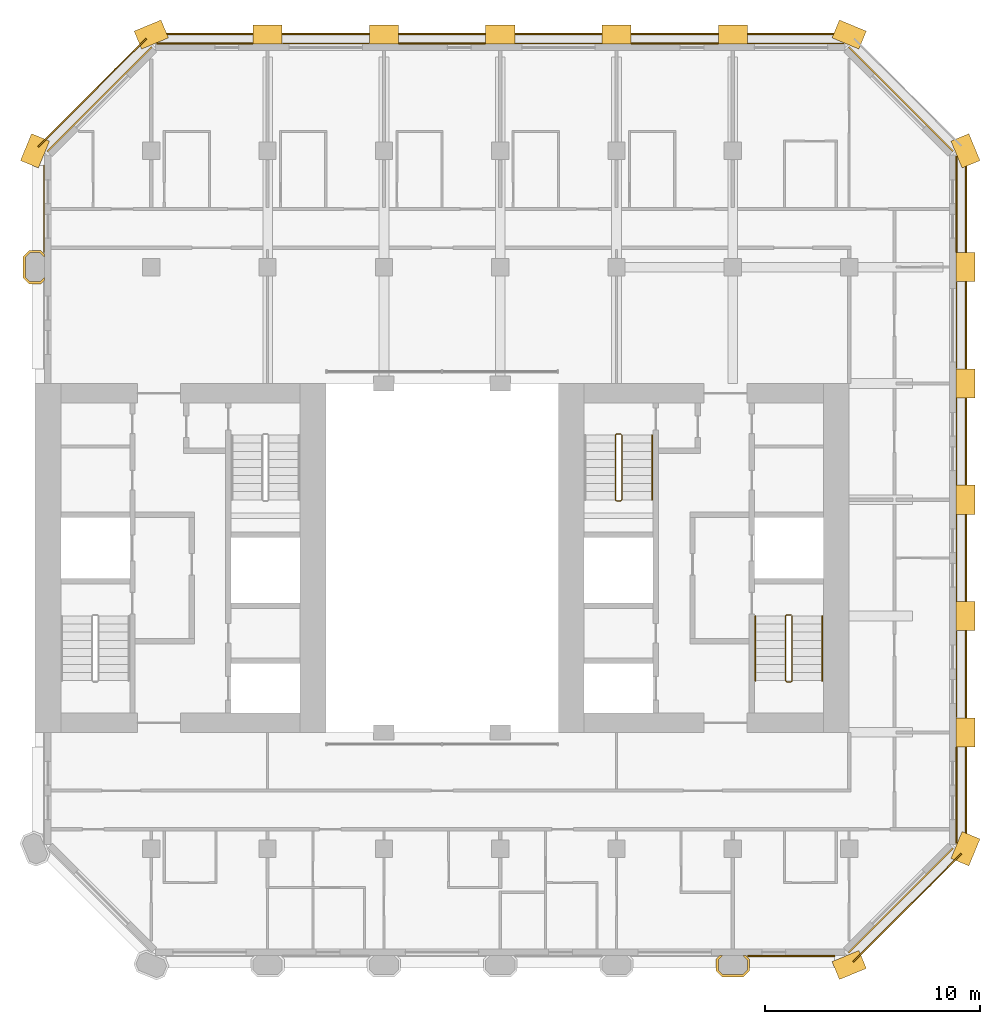
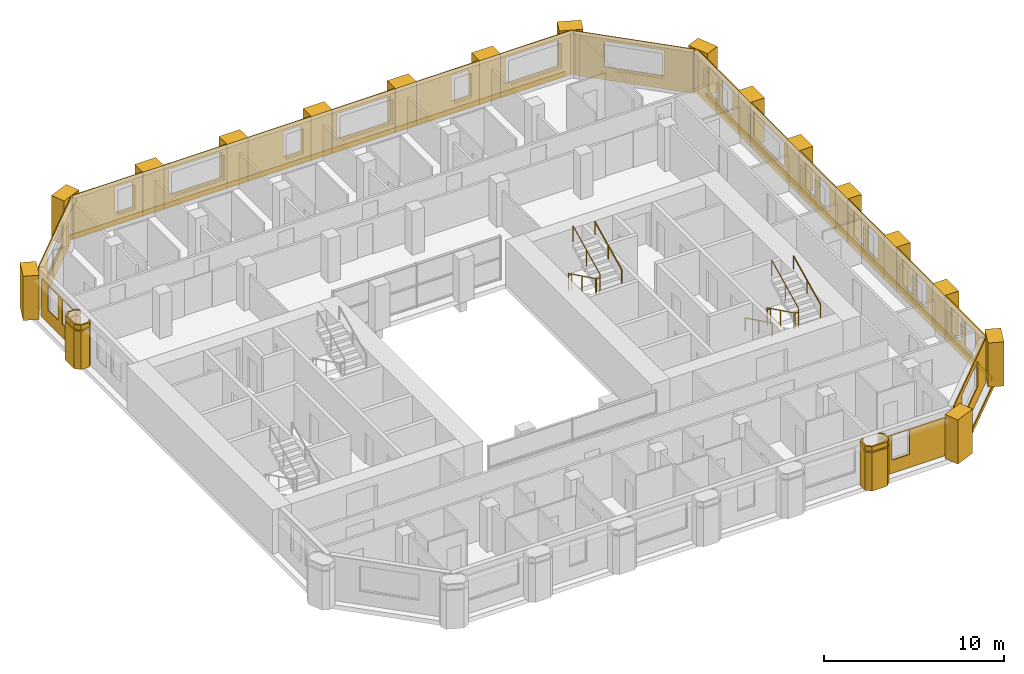
# One storey, part 11 of 12: 41 coverings, 5 railings.
"""IFC4 building model written with IfcOpenShell, lengths in metres."""

from ifc_helpers import new_model, si_unit, direction, frame, frame_2d, origin, origin_2d, place, context, subcontext, project, spatial, polyline, rectangle, circle, outline, extrude, material, layer, layer_set, type_object, element, save


model = new_model("IFC4")

# Units and contexts
model_context = context("Model", 3, precision=1e-05, world=origin(), true_north=direction((0.0, 1.0)))
body_context = subcontext(model_context, "Body", "Model", "MODEL_VIEW")
ifc_project = project(units=[si_unit("LENGTHUNIT", "METRE"), si_unit("AREAUNIT", "SQUARE_METRE"), si_unit("VOLUMEUNIT", "CUBIC_METRE"), si_unit("PLANEANGLEUNIT", "RADIAN"), si_unit("MASSUNIT", "GRAM", prefix="KILO")], contexts=[model_context])

# Site, building, storey
site_placement = place(None, origin())
site = spatial("IfcSite", under=ifc_project, at=site_placement, CompositionType="ELEMENT")
building_placement = place(site_placement, origin())
building = spatial("IfcBuilding", under=site, at=building_placement, Name="Tabaq Tower and Sports Hall", CompositionType="ELEMENT")
storey_placement = place(building_placement, frame((0.0, 0.0, 187.300048828125)))
storey = spatial("IfcBuildingStorey", under=building, at=storey_placement, Name="L45", CompositionType="ELEMENT", Elevation=187.300048828125)

# Coverings
ifc_material_1 = material(Name="Precast concrete C60/75", Category="concrete")
ifc_layer_1 = layer(ifc_material_1, 0.10009765625)
ifc_layer_set_1 = layer_set([ifc_layer_1], Name="Column cladding 100")
covering_type_1 = type_object("IfcCoveringType", Name="Column cladding 100", PredefinedType="CLADDING", material=ifc_layer_set_1)
covering_1_placement = place(storey_placement, origin())
element("IfcCovering", 1, at=covering_1_placement, inside=storey, type_object=covering_type_1, Name="Column cladding L45 PC-2H-H2", PredefinedType="CLADDING", context=body_context, shape_type="SweptSolid", body=[
    extrude(outline(polyline([(5.1337890625, 37.025390625), (4.850341796875, 37.30859375), (4.850341796875, 38.291259765625), (5.1337890625, 38.57470703125), (5.666259765625, 38.57470703125), (5.849609375, 38.391357421875), (5.849609375, 38.250732421875), (5.625244140625, 38.475341796875), (5.1748046875, 38.475341796875), (4.94970703125, 38.250244140625), (4.94970703125, 37.349853515625), (5.1748046875, 37.124755859375), (5.625244140625, 37.124755859375), (5.849609375, 37.349365234375), (5.849609375, 37.208740234375), (5.666259765625, 37.025390625), (5.1337890625, 37.025390625)])), origin(), (0.0, 0.0, 1.0), 2.599853515625),
])
covering_2_placement = place(storey_placement, frame((0.0, 0.0, 2.699951171875)))
element("IfcCovering", 2, at=covering_2_placement, inside=storey, type_object=covering_type_1, Name="Column cladding L45 PC-2H-H2 2", PredefinedType="CLADDING", context=body_context, shape_type="SweptSolid", body=[
    extrude(outline(polyline([(5.1337890625, 37.025390625), (4.850341796875, 37.30859375), (4.850341796875, 38.291259765625), (5.1337890625, 38.57470703125), (5.666259765625, 38.57470703125), (5.849609375, 38.391357421875), (5.849609375, 38.250732421875), (5.625244140625, 38.475341796875), (5.1748046875, 38.475341796875), (4.94970703125, 38.250244140625), (4.94970703125, 37.349853515625), (5.1748046875, 37.124755859375), (5.625244140625, 37.124755859375), (5.849609375, 37.349365234375), (5.849609375, 37.208740234375), (5.666259765625, 37.025390625), (5.1337890625, 37.025390625)])), origin(), (0.0, 0.0, 1.0), 0.300048828125),
])
covering_3_placement = place(storey_placement, origin())
element("IfcCovering", 3, at=covering_3_placement, inside=storey, type_object=covering_type_1, Name="Column cladding L45 PC-8B-H2", PredefinedType="CLADDING", context=body_context, shape_type="SweptSolid", body=[
    extrude(outline(polyline([(37.025390625, 5.666259765625), (37.208740234375, 5.849609375), (37.349365234375, 5.849609375), (37.124755859375, 5.625244140625), (37.124755859375, 5.1748046875), (37.349853515625, 4.94970703125), (38.250244140625, 4.94970703125), (38.475341796875, 5.1748046875), (38.475341796875, 5.625244140625), (38.250732421875, 5.849609375), (38.391357421875, 5.849609375), (38.57470703125, 5.666259765625), (38.57470703125, 5.1337890625), (38.291259765625, 4.850341796875), (37.30859375, 4.850341796875), (37.025390625, 5.1337890625), (37.025390625, 5.666259765625)])), origin(), (0.0, 0.0, 1.0), 2.599853515625),
])
covering_4_placement = place(storey_placement, frame((0.0, 0.0, 2.699951171875)))
element("IfcCovering", 4, at=covering_4_placement, inside=storey, type_object=covering_type_1, Name="Column cladding L45 PC-8B-H2 2", PredefinedType="CLADDING", context=body_context, shape_type="SweptSolid", body=[
    extrude(outline(polyline([(37.025390625, 5.666259765625), (37.208740234375, 5.849609375), (37.349365234375, 5.849609375), (37.124755859375, 5.625244140625), (37.124755859375, 5.1748046875), (37.349853515625, 4.94970703125), (38.250244140625, 4.94970703125), (38.475341796875, 5.1748046875), (38.475341796875, 5.625244140625), (38.250732421875, 5.849609375), (38.391357421875, 5.849609375), (38.57470703125, 5.666259765625), (38.57470703125, 5.1337890625), (38.291259765625, 4.850341796875), (37.30859375, 4.850341796875), (37.025390625, 5.1337890625), (37.025390625, 5.666259765625)])), origin(), (0.0, 0.0, 1.0), 0.300048828125),
])
ifc_material_2 = material(Name="Precast concrete C60/75", Category="concrete")
ifc_layer_2 = layer(ifc_material_2, 0.06005859375)
ifc_layer_set_2 = layer_set([ifc_layer_2], Name="Edge beam cladding 60")
covering_type_2 = type_object("IfcCoveringType", Name="Edge beam cladding 60", PredefinedType="CLADDING", material=ifc_layer_set_2)
covering_5_placement = place(storey_placement, frame((43.39794921875, 5.5556640625, -0.300048828125), z_axis=(0.0, 0.0, 1.0), x_axis=(0.707124002701, 0.707089559252, 0.0)))
element("IfcCovering", 5, at=covering_5_placement, inside=storey, type_object=covering_type_2, Name="Edge beam cladding L45 1", PredefinedType="CLADDING", context=body_context, shape_type="SweptSolid", body=[
    extrude(rectangle(XDim=7.088134765625, YDim=0.06005859375, at=frame_2d((3.5439453125, 0.0))), origin(), (0.0, 0.0, 1.0), 0.300048828125),
])
for number, where, z_axis, x_axis, name in (
    (6, (48.6298828125, 11.0986328125, -0.300048828125), (0.0, 0.0, 1.0), (0.0, 1.0, 0.0), "Edge beam cladding L45 2"),
    (7, (42.9013671875, 48.6298828125, -0.300048828125), (0.0, 0.0, 1.0), (-1.0, 0.0, 0.0), "Edge beam cladding L45 4"),
):
    element("IfcCovering", number, at=place(storey_placement, frame(where, z_axis=z_axis, x_axis=x_axis)), inside=storey, type_object=covering_type_2, Name=name, PredefinedType="CLADDING", context=body_context, shape_type="SweptSolid", body=[
        extrude(rectangle(XDim=31.802734375, YDim=0.06005859375, at=frame_2d((15.9013671875, 0.0))), origin(), (0.0, 0.0, 1.0), 0.300048828125),
    ])
covering_6_placement = place(storey_placement, frame((10.567626953125, 48.41015625, -0.300048828125), z_axis=(0.0, 0.0, 1.0), x_axis=(-0.707089559252, -0.707124002701, 0.0)))
element("IfcCovering", 8, at=covering_6_placement, inside=storey, type_object=covering_type_2, Name="Edge beam cladding L45 5", PredefinedType="CLADDING", context=body_context, shape_type="SweptSolid", body=[
    extrude(rectangle(XDim=7.088134765625, YDim=0.06005859375, at=frame_2d((3.5439453125, 0.0))), origin(), (0.0, 0.0, 1.0), 0.300048828125),
])
ifc_material_3 = material(Name="White precast concrete C60/75", Category="concrete")
covering_type_3 = type_object("IfcCoveringType", Name="Pier cladding hung 1350x900", PredefinedType="CLADDING", material=ifc_material_3)
for number, where, z_axis, x_axis, name in (
    (9, (5.658203125, 43.82373046875, 0.0), (0.0, 0.0, 1.0), (-0.382649923473, -0.923893411637, 0.0), "Hung pier cladding 1/8"),
    (10, (11.423583984375, 48.8583984375, 0.0), (0.0, 0.0, 1.0), (-0.923893411637, -0.382649923473, 0.0), "Hung pier cladding 2/9"),
    (11, (16.875, 48.60009765625, 0.0), (0.0, 0.0, 1.0), (-1.0, 0.0, 0.0), "Hung pier cladding 3/9"),
):
    element("IfcCovering", number, at=place(storey_placement, frame(where, z_axis=z_axis, x_axis=x_axis)), inside=storey, type_object=covering_type_3, Name=name, PredefinedType="CLADDING", context=body_context, shape_type="SweptSolid", body=[
        extrude(rectangle(XDim=1.35009765625, YDim=0.89990234375, at=frame_2d((0.675048828125, 0.0))), origin(), (0.0, 0.0, 1.0), 3.0),
    ])
covering_7_placement = place(storey_placement, frame((22.27490234375, 48.60009765625, 0.0), z_axis=(0.0, 0.0, 1.0), x_axis=(-1.0, 0.0, 0.0)))
element("IfcCovering", 12, at=covering_7_placement, inside=storey, type_object=covering_type_3, Name="Hung pier cladding 4/9", PredefinedType="CLADDING", context=body_context, shape_type="SweptSolid", body=[
    extrude(rectangle(XDim=1.349853515625, YDim=0.89990234375, at=frame_2d((0.6748046875, 0.0))), origin(), (0.0, 0.0, 1.0), 3.0),
])
covering_8_placement = place(storey_placement, frame((27.675048828125, 48.60009765625, 0.0), z_axis=(0.0, 0.0, 1.0), x_axis=(-1.0, 0.0, 0.0)))
element("IfcCovering", 13, at=covering_8_placement, inside=storey, type_object=covering_type_3, Name="Hung pier cladding 5/9", PredefinedType="CLADDING", context=body_context, shape_type="SweptSolid", body=[
    extrude(rectangle(XDim=1.35009765625, YDim=0.89990234375, at=frame_2d((0.675048828125, 0.0))), origin(), (0.0, 0.0, 1.0), 3.0),
])
covering_9_placement = place(storey_placement, frame((33.074951171875, 48.60009765625, 0.0), z_axis=(0.0, 0.0, 1.0), x_axis=(-1.0, 0.0, 0.0)))
element("IfcCovering", 14, at=covering_9_placement, inside=storey, type_object=covering_type_3, Name="Hung pier cladding 6/9", PredefinedType="CLADDING", context=body_context, shape_type="SweptSolid", body=[
    extrude(rectangle(XDim=1.349853515625, YDim=0.89990234375, at=frame_2d((0.6748046875, 0.0))), origin(), (0.0, 0.0, 1.0), 3.0),
])
for number, where, z_axis, x_axis, name in (
    (15, (38.47509765625, 48.60009765625, 0.0), (0.0, 0.0, 1.0), (-1.0, 0.0, 0.0), "Hung pier cladding 7/9"),
    (16, (42.576416015625, 5.1416015625, 0.0), (0.0, 0.0, 1.0), (0.923893411637, 0.382649923473, 0.0), "Hung pier cladding 8/1"),
    (17, (43.82373046875, 48.341796875, 0.0), (0.0, 0.0, 1.0), (-0.923893411637, 0.382649923473, 0.0), "Hung pier cladding 8/9"),
    (18, (48.341796875, 10.17626953125, 0.0), (0.0, 0.0, 1.0), (0.382649923473, 0.923893411637, 0.0), "Hung pier cladding 9/2"),
    (19, (48.60009765625, 15.52490234375, 0.0), (0.0, 0.0, 1.0), (0.0, 1.0, 0.0), "Hung pier cladding 9/3"),
):
    element("IfcCovering", number, at=place(storey_placement, frame(where, z_axis=z_axis, x_axis=x_axis)), inside=storey, type_object=covering_type_3, Name=name, PredefinedType="CLADDING", context=body_context, shape_type="SweptSolid", body=[
        extrude(rectangle(XDim=1.35009765625, YDim=0.89990234375, at=frame_2d((0.675048828125, 0.0))), origin(), (0.0, 0.0, 1.0), 3.0),
    ])
covering_10_placement = place(storey_placement, frame((48.60009765625, 20.925048828125, 0.0), z_axis=(0.0, 0.0, 1.0), x_axis=(0.0, 1.0, 0.0)))
element("IfcCovering", 20, at=covering_10_placement, inside=storey, type_object=covering_type_3, Name="Hung pier cladding 9/4", PredefinedType="CLADDING", context=body_context, shape_type="SweptSolid", body=[
    extrude(rectangle(XDim=1.349853515625, YDim=0.89990234375, at=frame_2d((0.6748046875, 0.0))), origin(), (0.0, 0.0, 1.0), 3.0),
])
covering_11_placement = place(storey_placement, frame((48.60009765625, 26.324951171875, 0.0), z_axis=(0.0, 0.0, 1.0), x_axis=(0.0, 1.0, 0.0)))
element("IfcCovering", 21, at=covering_11_placement, inside=storey, type_object=covering_type_3, Name="Hung pier cladding 9/5", PredefinedType="CLADDING", context=body_context, shape_type="SweptSolid", body=[
    extrude(rectangle(XDim=1.35009765625, YDim=0.89990234375, at=frame_2d((0.675048828125, 0.0))), origin(), (0.0, 0.0, 1.0), 3.0),
])
covering_12_placement = place(storey_placement, frame((48.60009765625, 31.72509765625, 0.0), z_axis=(0.0, 0.0, 1.0), x_axis=(0.0, 1.0, 0.0)))
element("IfcCovering", 22, at=covering_12_placement, inside=storey, type_object=covering_type_3, Name="Hung pier cladding 9/6", PredefinedType="CLADDING", context=body_context, shape_type="SweptSolid", body=[
    extrude(rectangle(XDim=1.349853515625, YDim=0.89990234375, at=frame_2d((0.6748046875, 0.0))), origin(), (0.0, 0.0, 1.0), 3.0),
])
for number, where, z_axis, x_axis, name in (
    (23, (48.60009765625, 37.125, 0.0), (0.0, 0.0, 1.0), (0.0, 1.0, 0.0), "Hung pier cladding 9/7"),
    (24, (48.8583984375, 42.576416015625, 0.0), (0.0, 0.0, 1.0), (-0.382649923473, 0.923893411637, 0.0), "Hung pier cladding 9/8"),
):
    element("IfcCovering", number, at=place(storey_placement, frame(where, z_axis=z_axis, x_axis=x_axis)), inside=storey, type_object=covering_type_3, Name=name, PredefinedType="CLADDING", context=body_context, shape_type="SweptSolid", body=[
        extrude(rectangle(XDim=1.35009765625, YDim=0.89990234375, at=frame_2d((0.675048828125, 0.0))), origin(), (0.0, 0.0, 1.0), 3.0),
    ])

# Railings
ifc_material_4 = material(Name="Stainless steel", Category="steel")
railing_type_1 = type_object("IfcRailingType", Name="Stair guard", PredefinedType="GUARDRAIL", material=ifc_material_4)
railing_1_placement = place(storey_placement, frame((40.5, 21.64990234375, 0.0)))
element("IfcRailing", 25, at=railing_1_placement, inside=storey, type_object=railing_type_1, Name="L45 ST3 stair guard 1", PredefinedType="GUARDRAIL", context=body_context, shape_type="SweptSolid", body=[
    extrude(circle(Radius=0.02392578125, at=origin_2d()), frame((0.0, 0.0, 1.076171875), z_axis=(-1.0, 0.0, 0.0), x_axis=(0.0, -1.0, 0.0)), (0.0, 0.0, 1.0), 0.199951171875),
    extrude(circle(Radius=0.02392578125, at=origin_2d()), frame((-0.199951171875, 0.0, 1.076171875), z_axis=(-0.254733673405, -0.25349107012, 0.933195066962), x_axis=(0.705375805398, -0.708833529934, 0.0)), (0.0, 0.0, 1.0), 0.196533203125),
    extrude(circle(Radius=0.02392578125, at=origin_2d()), frame((-0.25, -0.0498046875, 1.25927734375), z_axis=(0.0, -0.898397823093, 0.439182594671), x_axis=(1.0, 0.0, 0.0)), (0.0, 0.0, 1.0), 3.33935546875),
    extrude(circle(Radius=0.02392578125, at=origin_2d()), frame((-0.25, -3.0498046875, 2.72607421875), z_axis=(0.707106781187, -0.707106781187, 0.0), x_axis=(0.707106781187, 0.707106781187, 0.0)), (0.0, 0.0, 1.0), 0.07080078125),
    extrude(circle(Radius=0.02392578125, at=origin_2d()), frame((-0.199951171875, -3.099853515625, 2.72607421875), z_axis=(1.0, 0.0, 0.0), x_axis=(0.0, 1.0, 0.0)), (0.0, 0.0, 1.0), 0.199951171875),
    extrude(circle(Radius=0.02392578125, at=origin_2d()), frame((0.0, -3.099853515625, 2.72607421875), z_axis=(0.254653276557, 0.254653276557, 0.932900539971), x_axis=(-0.707106781187, 0.707106781187, 0.0)), (0.0, 0.0, 1.0), 0.196533203125),
    extrude(circle(Radius=0.02392578125, at=origin_2d()), frame((0.050048828125, -3.0498046875, 2.9091796875), z_axis=(0.0, 0.898368975038, 0.439241601728), x_axis=(-1.0, 0.0, 0.0)), (0.0, 0.0, 1.0), 3.33935546875),
    extrude(circle(Radius=0.02099609375, at=origin_2d()), origin(), (0.0, 0.0, 1.0), 1.052001953125),
    extrude(circle(Radius=0.02099609375, at=origin_2d()), frame((-0.199951171875, 0.0, 0.0)), (0.0, 0.0, 1.0), 1.052001953125),
    extrude(circle(Radius=0.02099609375, at=origin_2d()), frame((-0.25, -0.0498046875, 0.183349609375)), (0.0, 0.0, 1.0), 1.052001953125),
    extrude(circle(Radius=0.02099609375, at=origin_2d()), frame((-0.25, -1.5498046875, 0.91650390625)), (0.0, 0.0, 1.0), 1.052001953125),
    extrude(circle(Radius=0.02099609375, at=origin_2d()), frame((-0.25, -3.0498046875, 1.64990234375)), (0.0, 0.0, 1.0), 1.052001953125),
    extrude(circle(Radius=0.02099609375, at=origin_2d()), frame((-0.199951171875, -3.099853515625, 1.64990234375)), (0.0, 0.0, 1.0), 1.052001953125),
    extrude(circle(Radius=0.02099609375, at=origin_2d()), frame((0.0, -3.099853515625, 1.64990234375)), (0.0, 0.0, 1.0), 1.052001953125),
    extrude(circle(Radius=0.02099609375, at=origin_2d()), frame((0.050048828125, -3.0498046875, 1.833251953125)), (0.0, 0.0, 1.0), 1.052001953125),
    extrude(circle(Radius=0.02099609375, at=origin_2d()), frame((0.050048828125, -1.5498046875, 2.566650390625)), (0.0, 0.0, 1.0), 1.052001953125),
    extrude(circle(Radius=0.02099609375, at=origin_2d()), frame((0.050048828125, -0.0498046875, 3.300048828125)), (0.0, 0.0, 1.0), 1.052001953125),
])
railing_2_placement = place(storey_placement, frame((32.60009765625, 30.050048828125, 0.0)))
element("IfcRailing", 26, at=railing_2_placement, inside=storey, type_object=railing_type_1, Name="L45 ST4 stair guard 1", PredefinedType="GUARDRAIL", context=body_context, shape_type="SweptSolid", body=[
    extrude(circle(Radius=0.02392578125, at=origin_2d()), frame((0.0, 0.0, 1.076171875), z_axis=(-1.0, 0.0, 0.0), x_axis=(0.0, -1.0, 0.0)), (0.0, 0.0, 1.0), 0.2001953125),
    extrude(circle(Radius=0.02392578125, at=origin_2d()), frame((-0.2001953125, 0.0, 1.076171875), z_axis=(-0.25349107012, -0.254733673405, 0.933195066962), x_axis=(0.708833529934, -0.705375805398, 0.0)), (0.0, 0.0, 1.0), 0.196533203125),
    extrude(circle(Radius=0.02392578125, at=origin_2d()), frame((-0.25, -0.050048828125, 1.25927734375), z_axis=(0.0, -0.898397823093, 0.439182594671), x_axis=(1.0, 0.0, 0.0)), (0.0, 0.0, 1.0), 3.33935546875),
    extrude(circle(Radius=0.02392578125, at=origin_2d()), frame((-0.25, -3.050048828125, 2.72607421875), z_axis=(0.705375805398, -0.708833529934, 0.0), x_axis=(0.708833529934, 0.705375805398, 0.0)), (0.0, 0.0, 1.0), 0.070556640625),
    extrude(circle(Radius=0.02392578125, at=origin_2d()), frame((-0.2001953125, -3.10009765625, 2.72607421875), z_axis=(1.0, 0.0, 0.0), x_axis=(0.0, 1.0, 0.0)), (0.0, 0.0, 1.0), 0.2001953125),
    extrude(circle(Radius=0.02392578125, at=origin_2d()), frame((0.0, -3.10009765625, 2.72607421875), z_axis=(0.25349107012, 0.254733673405, 0.933195066962), x_axis=(-0.708833529934, 0.705375805398, 0.0)), (0.0, 0.0, 1.0), 0.196533203125),
    extrude(circle(Radius=0.02392578125, at=origin_2d()), frame((0.0498046875, -3.050048828125, 2.9091796875), z_axis=(0.0, 0.898368975038, 0.439241601728), x_axis=(-1.0, 0.0, 0.0)), (0.0, 0.0, 1.0), 3.33935546875),
    extrude(circle(Radius=0.02099609375, at=origin_2d()), origin(), (0.0, 0.0, 1.0), 1.052001953125),
    extrude(circle(Radius=0.02099609375, at=origin_2d()), frame((-0.2001953125, 0.0, 0.0)), (0.0, 0.0, 1.0), 1.052001953125),
    extrude(circle(Radius=0.02099609375, at=origin_2d()), frame((-0.25, -0.050048828125, 0.183349609375)), (0.0, 0.0, 1.0), 1.052001953125),
    extrude(circle(Radius=0.02099609375, at=origin_2d()), frame((-0.25, -1.550048828125, 0.91650390625)), (0.0, 0.0, 1.0), 1.052001953125),
    extrude(circle(Radius=0.02099609375, at=origin_2d()), frame((-0.25, -3.050048828125, 1.64990234375)), (0.0, 0.0, 1.0), 1.052001953125),
    extrude(circle(Radius=0.02099609375, at=origin_2d()), frame((-0.2001953125, -3.10009765625, 1.64990234375)), (0.0, 0.0, 1.0), 1.052001953125),
    extrude(circle(Radius=0.02099609375, at=origin_2d()), frame((0.0, -3.10009765625, 1.64990234375)), (0.0, 0.0, 1.0), 1.052001953125),
    extrude(circle(Radius=0.02099609375, at=origin_2d()), frame((0.0498046875, -3.050048828125, 1.833251953125)), (0.0, 0.0, 1.0), 1.052001953125),
    extrude(circle(Radius=0.02099609375, at=origin_2d()), frame((0.0498046875, -1.550048828125, 2.566650390625)), (0.0, 0.0, 1.0), 1.052001953125),
    extrude(circle(Radius=0.02099609375, at=origin_2d()), frame((0.0498046875, -0.050048828125, 3.300048828125)), (0.0, 0.0, 1.0), 1.052001953125),
])
ifc_material_5 = material(Name="Stainless steel", Category="steel")
railing_type_2 = type_object("IfcRailingType", Name="Stair handrail", PredefinedType="HANDRAIL", material=ifc_material_5)
railing_3_placement = place(storey_placement, frame((38.85009765625, 21.60009765625, 0.183349609375)))
element("IfcRailing", 27, at=railing_3_placement, inside=storey, type_object=railing_type_2, Name="L45 ST3 stair handrail 1", PredefinedType="HANDRAIL", context=body_context, shape_type="SweptSolid", body=[
    extrude(circle(Radius=0.02392578125, at=origin_2d()), frame((0.0, 0.0, 0.8759765625), z_axis=(0.0, -0.898397823093, 0.439182594671), x_axis=(1.0, 0.0, 0.0)), (0.0, 0.0, 1.0), 3.33935546875),
    extrude(circle(Radius=0.02099609375, at=origin_2d()), origin(), (0.0, 0.0, 1.0), 0.851806640625),
    extrude(circle(Radius=0.02099609375, at=origin_2d()), frame((0.0, -1.5, 0.7333984375)), (0.0, 0.0, 1.0), 0.851806640625),
    extrude(circle(Radius=0.02099609375, at=origin_2d()), frame((0.0, -3.0, 1.466552734375)), (0.0, 0.0, 1.0), 0.851806640625),
])
for number, where, name in (
    (28, (41.949951171875, 18.60009765625, 1.833251953125), "L45 ST3 stair handrail 2"),
    (29, (34.050048828125, 27.0, 1.833251953125), "L45 ST4 stair handrail 2"),
):
    element("IfcRailing", number, at=place(storey_placement, frame(where)), inside=storey, type_object=railing_type_2, Name=name, PredefinedType="HANDRAIL", context=body_context, shape_type="SweptSolid", body=[
        extrude(circle(Radius=0.02392578125, at=origin_2d()), frame((0.0, 0.0, 0.8759765625), z_axis=(0.0, 0.898368975038, 0.439241601728), x_axis=(-1.0, 0.0, 0.0)), (0.0, 0.0, 1.0), 3.33935546875),
        extrude(circle(Radius=0.02099609375, at=origin_2d()), origin(), (0.0, 0.0, 1.0), 0.851806640625),
        extrude(circle(Radius=0.02099609375, at=origin_2d()), frame((0.0, 1.5, 0.7333984375)), (0.0, 0.0, 1.0), 0.851806640625),
        extrude(circle(Radius=0.02099609375, at=origin_2d()), frame((0.0, 3.0, 1.466796875)), (0.0, 0.0, 1.0), 0.851806640625),
    ])

# Coverings
ifc_material_6 = material(Name="Precast concrete C60/75", Category="concrete")
ifc_layer_3 = layer(ifc_material_6, 0.06005859375)
ifc_layer_set_3 = layer_set([ifc_layer_3], Name="White precast cladding panel 60 C60/75")
covering_type_4 = type_object("IfcCoveringType", Name="White precast cladding panel 60 C60/75", PredefinedType="CLADDING", material=ifc_layer_set_3)
covering_13_placement = place(storey_placement, frame((38.485107421875, 5.820068359375, 0.0), z_axis=(0.0, 0.0, 1.0), x_axis=(1.0, 0.0, 0.0)))
element("IfcCovering", 30, at=covering_13_placement, inside=storey, type_object=covering_type_4, Name="White precast cladding panel L45 wall00 6", PredefinedType="CLADDING", context=body_context, shape_type="SweptSolid", body=[
    extrude(outline(polyline([(0.0, 0.0), (4.0498046875, 0.0), (4.0498046875, 2.58984375), (0.0, 2.58984375), (0.0, 0.0)]), holes=[polyline([(1.77490234375, 0.889892578125), (0.655029296875, 0.889892578125), (0.655029296875, 2.56005859375), (1.77490234375, 2.56005859375), (1.77490234375, 0.889892578125)])]), frame((0.0, 0.030029296875, 0.0), z_axis=(0.0, -1.0, 0.0), x_axis=(1.0, 0.0, 0.0)), (0.0, 0.0, 1.0), 0.06005859375),
])
covering_14_placement = place(storey_placement, frame((43.177734375, 5.9716796875, 0.0), z_axis=(0.0, 0.0, 1.0), x_axis=(0.707106781187, 0.707106781187, 0.0)))
element("IfcCovering", 31, at=covering_14_placement, inside=storey, type_object=covering_type_4, Name="White precast cladding panel L45 wall01", PredefinedType="CLADDING", context=body_context, shape_type="SweptSolid", body=[
    extrude(outline(polyline([(0.0, 0.0), (6.85986328125, 0.0), (6.85986328125, 3.0), (0.0, 3.0), (0.0, 0.0)]), holes=[polyline([(1.7197265625, 0.889892578125), (1.7197265625, 2.60986328125), (5.139892578125, 2.60986328125), (5.139892578125, 0.889892578125), (1.7197265625, 0.889892578125)])]), frame((0.0, 0.030029296875, 0.0), z_axis=(0.0, -1.0, 0.0), x_axis=(1.0, 0.0, 0.0)), (0.0, 0.0, 1.0), 0.06005859375),
])
covering_15_placement = place(storey_placement, frame((48.179931640625, 11.043212890625, 0.0), z_axis=(0.0, 0.0, 1.0), x_axis=(0.0, 1.0, 0.0)))
element("IfcCovering", 32, at=covering_15_placement, inside=storey, type_object=covering_type_4, Name="White precast cladding panel L45 wall02", PredefinedType="CLADDING", context=body_context, shape_type="SweptSolid", body=[
    extrude(outline(polyline([(0.0, 0.0), (4.4716796875, 0.0), (4.4716796875, 3.0), (0.0, 3.0), (0.0, 0.0)]), holes=[polyline([(1.096923828125, 2.60986328125), (2.216796875, 2.60986328125), (2.216796875, 0.889892578125), (1.096923828125, 0.889892578125), (1.096923828125, 2.60986328125)]), polyline([(2.69677734375, 2.60986328125), (3.81689453125, 2.60986328125), (3.81689453125, 0.889892578125), (2.69677734375, 0.889892578125), (2.69677734375, 2.60986328125)])]), frame((0.0, 0.030029296875, 0.0), z_axis=(0.0, -1.0, 0.0), x_axis=(1.0, 0.0, 0.0)), (0.0, 0.0, 1.0), 0.06005859375),
])
for number, where, z_axis, x_axis, name in (
    (33, (48.179931640625, 16.885009765625, 0.0), (0.0, 0.0, 1.0), (0.0, 1.0, 0.0), "White precast cladding panel L45 wall02 2"),
    (34, (48.179931640625, 22.284912109375, 0.0), (0.0, 0.0, 1.0), (0.0, 1.0, 0.0), "White precast cladding panel L45 wall02 3"),
    (35, (48.179931640625, 27.68505859375, 0.0), (0.0, 0.0, 1.0), (0.0, 1.0, 0.0), "White precast cladding panel L45 wall02 4"),
):
    element("IfcCovering", number, at=place(storey_placement, frame(where, z_axis=z_axis, x_axis=x_axis)), inside=storey, type_object=covering_type_4, Name=name, PredefinedType="CLADDING", context=body_context, shape_type="SweptSolid", body=[
        extrude(outline(polyline([(0.0, 0.0), (4.030029296875, 0.0), (4.030029296875, 3.0), (0.0, 3.0), (0.0, 0.0)]), holes=[polyline([(0.655029296875, 2.60986328125), (1.77490234375, 2.60986328125), (1.77490234375, 0.889892578125), (0.655029296875, 0.889892578125), (0.655029296875, 2.60986328125)]), polyline([(2.2548828125, 2.60986328125), (3.375, 2.60986328125), (3.375, 0.889892578125), (2.2548828125, 0.889892578125), (2.2548828125, 2.60986328125)])]), frame((0.0, 0.030029296875, 0.0), z_axis=(0.0, -1.0, 0.0), x_axis=(1.0, 0.0, 0.0)), (0.0, 0.0, 1.0), 0.06005859375),
    ])
covering_16_placement = place(storey_placement, frame((48.179931640625, 33.0849609375, 0.0), z_axis=(0.0, 0.0, 1.0), x_axis=(0.0, 1.0, 0.0)))
element("IfcCovering", 36, at=covering_16_placement, inside=storey, type_object=covering_type_4, Name="White precast cladding panel L45 wall02 5", PredefinedType="CLADDING", context=body_context, shape_type="SweptSolid", body=[
    extrude(outline(polyline([(0.0, 0.0), (4.030029296875, 0.0), (4.030029296875, 3.0), (0.0, 3.0), (0.0, 0.0)]), holes=[polyline([(0.304931640625, 0.889892578125), (0.304931640625, 2.60986328125), (3.72509765625, 2.60986328125), (3.72509765625, 0.889892578125), (0.304931640625, 0.889892578125)])]), frame((0.0, 0.030029296875, 0.0), z_axis=(0.0, -1.0, 0.0), x_axis=(1.0, 0.0, 0.0)), (0.0, 0.0, 1.0), 0.06005859375),
])
covering_17_placement = place(storey_placement, frame((48.179931640625, 38.485107421875, 0.0), z_axis=(0.0, 0.0, 1.0), x_axis=(0.0, 1.0, 0.0)))
element("IfcCovering", 37, at=covering_17_placement, inside=storey, type_object=covering_type_4, Name="White precast cladding panel L45 wall02 6", PredefinedType="CLADDING", context=body_context, shape_type="SweptSolid", body=[
    extrude(outline(polyline([(0.0, 0.0), (4.4716796875, 0.0), (4.4716796875, 3.0), (0.0, 3.0), (0.0, 0.0)]), holes=[polyline([(0.655029296875, 2.60986328125), (1.77490234375, 2.60986328125), (1.77490234375, 0.889892578125), (0.655029296875, 0.889892578125), (0.655029296875, 2.60986328125)]), polyline([(2.2548828125, 2.60986328125), (3.375, 2.60986328125), (3.375, 0.889892578125), (2.2548828125, 0.889892578125), (2.2548828125, 2.60986328125)])]), frame((0.0, 0.030029296875, 0.0), z_axis=(0.0, -1.0, 0.0), x_axis=(1.0, 0.0, 0.0)), (0.0, 0.0, 1.0), 0.06005859375),
])
covering_18_placement = place(storey_placement, frame((48.0283203125, 43.177734375, 0.0), z_axis=(0.0, 0.0, 1.0), x_axis=(-0.707106781187, 0.707106781187, 0.0)))
element("IfcCovering", 38, at=covering_18_placement, inside=storey, type_object=covering_type_4, Name="White precast cladding panel L45 wall03", PredefinedType="CLADDING", context=body_context, shape_type="SweptSolid", body=[
    extrude(outline(polyline([(0.0, 0.0), (6.85986328125, 0.0), (6.85986328125, 3.0), (0.0, 3.0), (0.0, 0.0)]), holes=[polyline([(1.7197265625, 0.889892578125), (1.7197265625, 2.60986328125), (5.139892578125, 2.60986328125), (5.139892578125, 0.889892578125), (1.7197265625, 0.889892578125)])]), frame((0.0, 0.030029296875, 0.0), z_axis=(0.0, -1.0, 0.0), x_axis=(1.0, 0.0, 0.0)), (0.0, 0.0, 1.0), 0.06005859375),
])
covering_19_placement = place(storey_placement, frame((42.956787109375, 48.179931640625, 0.0), z_axis=(0.0, 0.0, 1.0), x_axis=(-1.0, 0.0, 0.0)))
element("IfcCovering", 39, at=covering_19_placement, inside=storey, type_object=covering_type_4, Name="White precast cladding panel L45 wall04", PredefinedType="CLADDING", context=body_context, shape_type="SweptSolid", body=[
    extrude(outline(polyline([(0.0, 0.0), (4.4716796875, 0.0), (4.4716796875, 3.0), (0.0, 3.0), (0.0, 0.0)]), holes=[polyline([(0.746826171875, 0.889892578125), (0.746826171875, 2.60986328125), (4.166748046875, 2.60986328125), (4.166748046875, 0.889892578125), (0.746826171875, 0.889892578125)])]), frame((0.0, 0.030029296875, 0.0), z_axis=(0.0, -1.0, 0.0), x_axis=(1.0, 0.0, 0.0)), (0.0, 0.0, 1.0), 0.06005859375),
])
covering_20_placement = place(storey_placement, frame((37.114990234375, 48.179931640625, 0.0), z_axis=(0.0, 0.0, 1.0), x_axis=(-1.0, 0.0, 0.0)))
element("IfcCovering", 40, at=covering_20_placement, inside=storey, type_object=covering_type_4, Name="White precast cladding panel L45 wall04 2", PredefinedType="CLADDING", context=body_context, shape_type="SweptSolid", body=[
    extrude(outline(polyline([(0.0, 0.0), (4.030029296875, 0.0), (4.030029296875, 3.0), (0.0, 3.0), (0.0, 0.0)]), holes=[polyline([(0.655029296875, 0.889892578125), (0.655029296875, 2.60986328125), (1.77490234375, 2.60986328125), (1.77490234375, 0.889892578125), (0.655029296875, 0.889892578125)])]), frame((0.0, 0.030029296875, 0.0), z_axis=(0.0, -1.0, 0.0), x_axis=(1.0, 0.0, 0.0)), (0.0, 0.0, 1.0), 0.06005859375),
])
covering_21_placement = place(storey_placement, frame((31.715087890625, 48.179931640625, 0.0), z_axis=(0.0, 0.0, 1.0), x_axis=(-1.0, 0.0, 0.0)))
element("IfcCovering", 41, at=covering_21_placement, inside=storey, type_object=covering_type_4, Name="White precast cladding panel L45 wall04 3", PredefinedType="CLADDING", context=body_context, shape_type="SweptSolid", body=[
    extrude(outline(polyline([(0.0, 0.0), (4.030029296875, 0.0), (4.030029296875, 3.0), (0.0, 3.0), (0.0, 0.0)]), holes=[polyline([(0.304931640625, 0.889892578125), (0.304931640625, 2.60986328125), (3.72509765625, 2.60986328125), (3.72509765625, 0.889892578125), (0.304931640625, 0.889892578125)])]), frame((0.0, 0.030029296875, 0.0), z_axis=(0.0, -1.0, 0.0), x_axis=(1.0, 0.0, 0.0)), (0.0, 0.0, 1.0), 0.06005859375),
])
covering_22_placement = place(storey_placement, frame((26.31494140625, 48.179931640625, 0.0), z_axis=(0.0, 0.0, 1.0), x_axis=(-1.0, 0.0, 0.0)))
element("IfcCovering", 42, at=covering_22_placement, inside=storey, type_object=covering_type_4, Name="White precast cladding panel L45 wall04 4", PredefinedType="CLADDING", context=body_context, shape_type="SweptSolid", body=[
    extrude(outline(polyline([(0.0, 0.0), (4.030029296875, 0.0), (4.030029296875, 3.0), (0.0, 3.0), (0.0, 0.0)]), holes=[polyline([(0.655029296875, 0.889892578125), (0.655029296875, 2.60986328125), (1.77490234375, 2.60986328125), (1.77490234375, 0.889892578125), (0.655029296875, 0.889892578125)])]), frame((0.0, 0.030029296875, 0.0), z_axis=(0.0, -1.0, 0.0), x_axis=(1.0, 0.0, 0.0)), (0.0, 0.0, 1.0), 0.06005859375),
])
covering_23_placement = place(storey_placement, frame((20.9150390625, 48.179931640625, 0.0), z_axis=(0.0, 0.0, 1.0), x_axis=(-1.0, 0.0, 0.0)))
element("IfcCovering", 43, at=covering_23_placement, inside=storey, type_object=covering_type_4, Name="White precast cladding panel L45 wall04 5", PredefinedType="CLADDING", context=body_context, shape_type="SweptSolid", body=[
    extrude(outline(polyline([(0.0, 0.0), (4.030029296875, 0.0), (4.030029296875, 3.0), (0.0, 3.0), (0.0, 0.0)]), holes=[polyline([(0.304931640625, 0.889892578125), (0.304931640625, 2.60986328125), (3.72509765625, 2.60986328125), (3.72509765625, 0.889892578125), (0.304931640625, 0.889892578125)])]), frame((0.0, 0.030029296875, 0.0), z_axis=(0.0, -1.0, 0.0), x_axis=(1.0, 0.0, 0.0)), (0.0, 0.0, 1.0), 0.06005859375),
])
covering_24_placement = place(storey_placement, frame((15.514892578125, 48.179931640625, 0.0), z_axis=(0.0, 0.0, 1.0), x_axis=(-1.0, 0.0, 0.0)))
element("IfcCovering", 44, at=covering_24_placement, inside=storey, type_object=covering_type_4, Name="White precast cladding panel L45 wall04 6", PredefinedType="CLADDING", context=body_context, shape_type="SweptSolid", body=[
    extrude(outline(polyline([(0.0, 0.0), (4.4716796875, 0.0), (4.4716796875, 3.0), (0.0, 3.0), (0.0, 0.0)]), holes=[polyline([(0.655029296875, 0.889892578125), (0.655029296875, 2.60986328125), (1.77490234375, 2.60986328125), (1.77490234375, 0.889892578125), (0.655029296875, 0.889892578125)])]), frame((0.0, 0.030029296875, 0.0), z_axis=(0.0, -1.0, 0.0), x_axis=(1.0, 0.0, 0.0)), (0.0, 0.0, 1.0), 0.06005859375),
])
covering_25_placement = place(storey_placement, frame((10.822265625, 48.0283203125, 0.0), z_axis=(0.0, 0.0, 1.0), x_axis=(-0.707106781187, -0.707106781187, 0.0)))
element("IfcCovering", 45, at=covering_25_placement, inside=storey, type_object=covering_type_4, Name="White precast cladding panel L45 wall05", PredefinedType="CLADDING", context=body_context, shape_type="SweptSolid", body=[
    extrude(outline(polyline([(0.0, 0.0), (6.85986328125, 0.0), (6.85986328125, 3.0), (0.0, 3.0), (0.0, 0.0)]), holes=[polyline([(1.7197265625, 0.889892578125), (1.7197265625, 2.60986328125), (5.139892578125, 2.60986328125), (5.139892578125, 0.889892578125), (1.7197265625, 0.889892578125)])]), frame((0.0, 0.030029296875, 0.0), z_axis=(0.0, -1.0, 0.0), x_axis=(1.0, 0.0, 0.0)), (0.0, 0.0, 1.0), 0.06005859375),
])
covering_26_placement = place(storey_placement, frame((5.820068359375, 42.534912109375, 0.0), z_axis=(0.0, 0.0, 1.0), x_axis=(0.0, -1.0, 0.0)))
element("IfcCovering", 46, at=covering_26_placement, inside=storey, type_object=covering_type_4, Name="White precast cladding panel L45 wall06", PredefinedType="CLADDING", context=body_context, shape_type="SweptSolid", body=[
    extrude(outline(polyline([(0.0, 0.0), (4.0498046875, 0.0), (4.0498046875, 2.58984375), (0.0, 2.58984375), (0.0, 0.0)]), holes=[polyline([(0.675048828125, 0.889892578125), (0.675048828125, 2.56005859375), (1.794921875, 2.56005859375), (1.794921875, 0.889892578125), (0.675048828125, 0.889892578125)]), polyline([(2.27490234375, 0.889892578125), (2.27490234375, 2.56005859375), (3.39501953125, 2.56005859375), (3.39501953125, 0.889892578125), (2.27490234375, 0.889892578125)])]), frame((0.0, 0.030029296875, 0.0), z_axis=(0.0, -1.0, 0.0), x_axis=(1.0, 0.0, 0.0)), (0.0, 0.0, 1.0), 0.06005859375),
])

save(model, "model.ifc")
